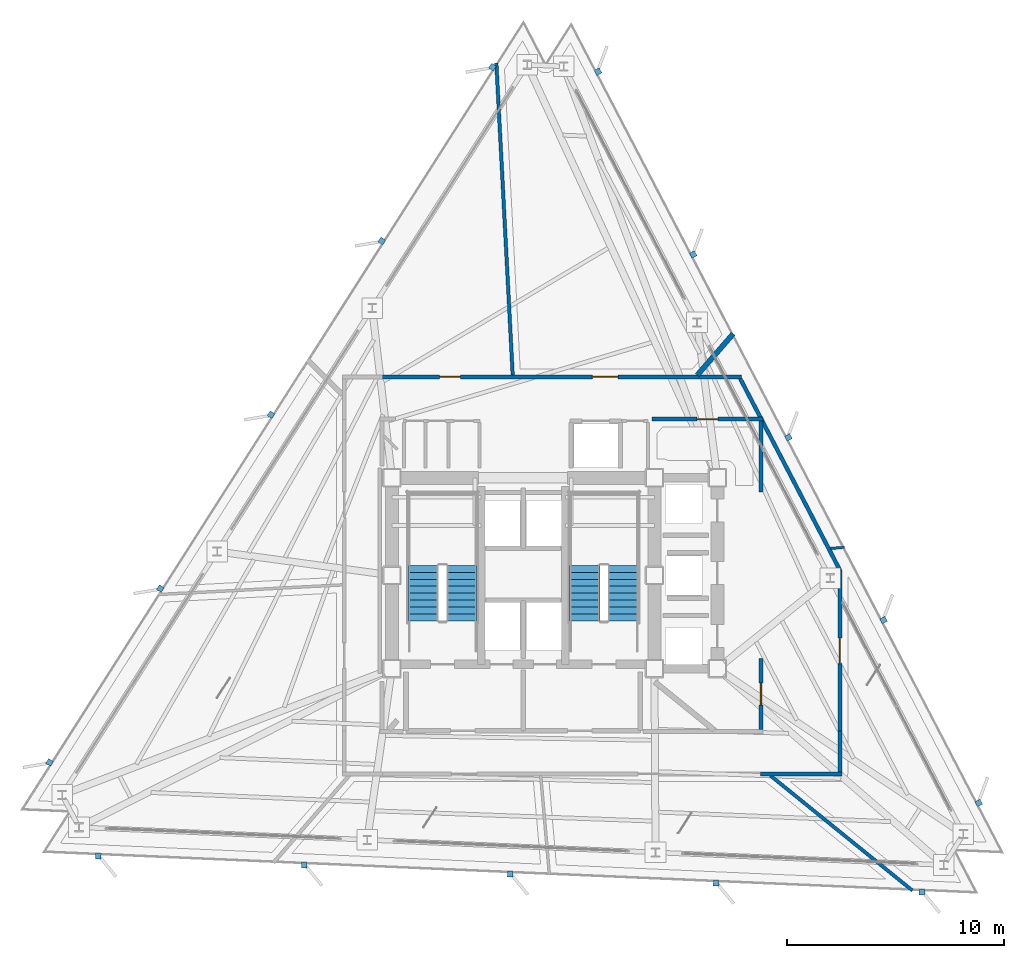
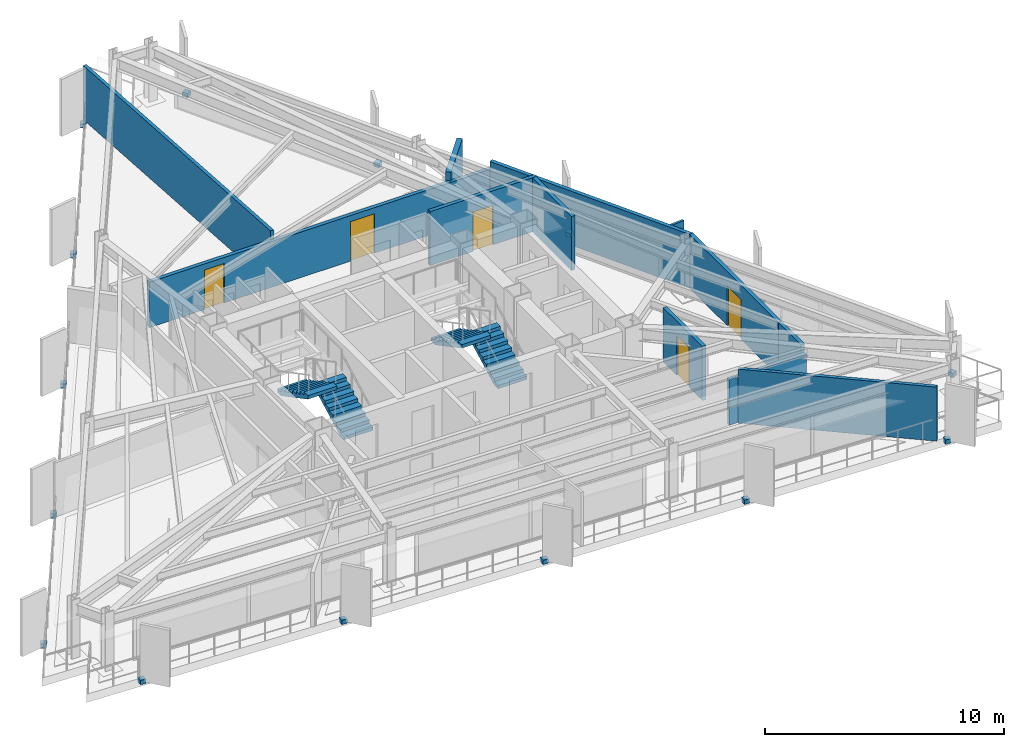
# One storey, part 9 of 12: 15 discrete accessories, 12 walls, 5 doors, 4 stair flights, 5 openings, 2 elements without a shape of their own.
"""IFC4 building model written with IfcOpenShell, lengths in metres."""

from ifc_helpers import new_model, si_unit, direction, frame, frame_2d, origin, origin_2d, place, context, subcontext, project, spatial, polyline, rectangle, outline, extrude, material, layer, layer_set, type_object, element, fill, aggregate, save


model = new_model("IFC4")

# Units and contexts
model_context = context("Model", 3, precision=1e-05, world=origin(), true_north=direction((0.0, 1.0)))
body_context = subcontext(model_context, "Body", "Model", "MODEL_VIEW")
ifc_project = project(units=[si_unit("LENGTHUNIT", "METRE"), si_unit("AREAUNIT", "SQUARE_METRE"), si_unit("VOLUMEUNIT", "CUBIC_METRE"), si_unit("PLANEANGLEUNIT", "RADIAN"), si_unit("MASSUNIT", "GRAM", prefix="KILO")], contexts=[model_context])

# Site, building, storey
site_placement = place(None, origin())
site = spatial("IfcSite", under=ifc_project, at=site_placement, CompositionType="ELEMENT")
building_placement = place(site_placement, origin())
building = spatial("IfcBuilding", under=site, at=building_placement, Name="Rocaltana Carrier Exchange", CompositionType="ELEMENT")
storey_placement = place(building_placement, frame((0.0, 0.0, 125.919921875)))
storey = spatial("IfcBuildingStorey", under=building, at=storey_placement, Name="L39", CompositionType="ELEMENT", Elevation=125.919921875)

# Walls
ifc_material_1 = material(Name="Double Acoustic Gypsum Partition", Category="gypsum")
ifc_layer_1 = layer(ifc_material_1, 0.159912109375)
ifc_layer_set_1 = layer_set([ifc_layer_1], Name="Double Acoustic Gypsum Partition")
wall_type_1 = type_object("IfcWallType", Name="Acoustic Studio Partition 160 EI60", PredefinedType="PARTITIONING", material=ifc_layer_set_1)
wall_1_placement = place(storey_placement, frame((11.398193359375, -9.22998046875, 0.0), z_axis=(0.0, 0.0, 1.0), x_axis=(0.777150974354, -0.629314200588, 0.0)))
element("IfcWall", 1, at=wall_1_placement, inside=storey, type_object=wall_type_1, Name="L39 Suite Divider Wall D6", PredefinedType="PARTITIONING", context=body_context, shape_type="SweptSolid", body=[
    extrude(rectangle(XDim=8.417236328125, YDim=0.159912109375, at=frame_2d((4.20849609375, 0.0))), origin(), (0.0, 0.0, 1.0), 2.76318359375),
])
wall_2_placement = place(storey_placement, frame((-0.483642578125, 9.22998046875, 0.0), z_axis=(0.0, 0.0, 1.0), x_axis=(-0.052344416919, 0.998629091313, 0.0)))
element("IfcWall", 2, at=wall_2_placement, inside=storey, type_object=wall_type_1, Name="L39 Suite Divider Wall D9", PredefinedType="PARTITIONING", context=body_context, shape_type="SweptSolid", body=[
    extrude(rectangle(XDim=14.40283203125, YDim=0.159912109375, at=frame_2d((7.201416015625, 0.0))), origin(), (0.0, 0.0, 1.0), 2.76318359375),
])

# Wall, openings, doors
ifc_material_2 = material(Name="Gypsum & Steel Stud Partition", Category="steel")
ifc_layer_2 = layer(ifc_material_2, 0.179931640625)
ifc_layer_set_2 = layer_set([ifc_layer_2], Name="Gypsum & Steel Stud Partition")
wall_type_2 = type_object("IfcWallType", Name="Corridor Fire Partition 180 EI60", PredefinedType="PARTITIONING", material=ifc_layer_set_2)
wall_3_placement = place(storey_placement, frame((-6.52001953125, 9.14990234375, 0.0), z_axis=(0.0, 0.0, 1.0), x_axis=(1.0, 0.0, 0.0)))
wall_3 = element("IfcWall", 3, at=wall_3_placement, inside=storey, type_object=wall_type_2, Name="L39 Corridor Partition 6", PredefinedType="PARTITIONING", context=body_context, shape_type="SweptSolid", body=[
    extrude(rectangle(XDim=16.571533203125, YDim=0.179931640625, at=frame_2d((8.28564453125, 0.0))), origin(), (0.0, 0.0, 1.0), 2.330078125),
])
opening_1_placement = place(wall_3_placement, frame((9.7138671875, 0.0, 0.0)))
opening_1 = element("IfcOpeningElement", 4, at=opening_1_placement, cuts=wall_3, Name="Opening D-SU120", PredefinedType="OPENING", context=body_context, shape_type="SweptSolid", body=[
    extrude(rectangle(XDim=1.179931640625, YDim=2.02001953125, at=frame_2d((0.58984375, 1.010009765625))), frame((0.0, 0.099853515625, 0.0), z_axis=(0.0, -1.0, 0.0), x_axis=(1.0, 0.0, 0.0)), (0.0, 0.0, 1.0), 0.199951171875),
])
opening_2_placement = place(wall_3_placement, frame((2.66845703125, 0.0, 0.0)))
opening_2 = element("IfcOpeningElement", 5, at=opening_2_placement, cuts=wall_3, Name="Opening D-RM098", PredefinedType="OPENING", context=body_context, shape_type="SweptSolid", body=[
    extrude(rectangle(XDim=0.9599609375, YDim=2.02001953125, at=frame_2d((0.47998046875, 1.010009765625))), frame((0.0, 0.099853515625, 0.0), z_axis=(0.0, -1.0, 0.0), x_axis=(1.0, 0.0, 0.0)), (0.0, 0.0, 1.0), 0.199951171875),
])
ifc_material_3 = material(Name="Engineered Hardwood Timber", Category="wood")
door_type_1 = type_object("IfcDoorType", Name="Suite Double Entrance Door 1180x2020", OperationType="NOTDEFINED", PredefinedType="DOOR", material=ifc_material_3)
door_1_placement = place(opening_1_placement, origin())
door_1 = element("IfcDoor", 6, at=door_1_placement, inside=storey, type_object=door_type_1, Name="L39 Carrier Peering Suite Entrance Door", OperationType="SINGLE_SWING_LEFT", OverallHeight=2.02001953125, OverallWidth=1.179931640625, PredefinedType="DOOR", context=body_context, shape_type="SweptSolid", body=[
    extrude(rectangle(XDim=1.179931640625, YDim=2.02001953125, at=frame_2d((0.58984375, 1.010009765625))), frame((0.0, 0.02490234375, 0.0), z_axis=(0.0, -1.0, 0.0), x_axis=(1.0, 0.0, 0.0)), (0.0, 0.0, 1.0), 0.050048828125),
])
fill(opening_1, door_1)
ifc_material_4 = material(Name="Engineered Hardwood Timber", Category="wood")
door_type_2 = type_object("IfcDoorType", Name="Workspace Single Door 960x2020", OperationType="NOTDEFINED", PredefinedType="DOOR", material=ifc_material_4)
door_2_placement = place(opening_2_placement, origin())
door_2 = element("IfcDoor", 7, at=door_2_placement, inside=storey, type_object=door_type_2, Name="L39 Quiet Focus Lounge Entrance Door", OperationType="SINGLE_SWING_RIGHT", OverallHeight=2.02001953125, OverallWidth=0.9599609375, PredefinedType="DOOR", context=body_context, shape_type="SweptSolid", body=[
    extrude(rectangle(XDim=0.9599609375, YDim=2.02001953125, at=frame_2d((0.47998046875, 1.010009765625))), frame((0.0, 0.02490234375, 0.0), z_axis=(0.0, -1.0, 0.0), x_axis=(1.0, 0.0, 0.0)), (0.0, 0.0, 1.0), 0.050048828125),
])
fill(opening_2, door_2)

# Wall
wall_4_placement = place(storey_placement, frame((10.0029296875, 9.0703125, 0.0), z_axis=(0.0, 0.0, 1.0), x_axis=(0.461740291408, -0.887015165198, 0.0)))
element("IfcWall", 8, at=wall_4_placement, inside=storey, type_object=wall_type_2, Name="L39 Corridor Partition 7", PredefinedType="PARTITIONING", context=body_context, shape_type="SweptSolid", body=[
    extrude(rectangle(XDim=9.975830078125, YDim=0.179931640625, at=frame_2d((4.98779296875, 0.0))), origin(), (0.0, 0.0, 1.0), 2.76318359375),
])

# Wall, opening, door
wall_5_placement = place(storey_placement, frame((14.60009765625, 0.259521484375, 0.0), z_axis=(0.0, 0.0, 1.0), x_axis=(0.0, -1.0, 0.0)))
wall_5 = element("IfcWall", 9, at=wall_5_placement, inside=storey, type_object=wall_type_2, Name="L39 Corridor Partition 8", PredefinedType="PARTITIONING", context=body_context, shape_type="SweptSolid", body=[
    extrude(rectangle(XDim=7.4794921875, YDim=0.179931640625, at=frame_2d((3.73974609375, 0.0))), origin(), (0.0, 0.0, 1.0), 2.76318359375),
])
opening_3_placement = place(wall_5_placement, frame((3.149658203125, 0.0, 0.0)))
opening_3 = element("IfcOpeningElement", 10, at=opening_3_placement, cuts=wall_5, Name="Opening D-SU120", PredefinedType="OPENING", context=body_context, shape_type="SweptSolid", body=[
    extrude(rectangle(XDim=1.179931640625, YDim=2.02001953125, at=frame_2d((0.58984375, 1.010009765625))), frame((0.0, 0.099853515625, 0.0), z_axis=(0.0, -1.0, 0.0), x_axis=(1.0, 0.0, 0.0)), (0.0, 0.0, 1.0), 0.199951171875),
])
door_3_placement = place(opening_3_placement, origin())
door_3 = element("IfcDoor", 11, at=door_3_placement, inside=storey, type_object=door_type_1, Name="L39 Carrier Peering Suite Entrance Door", OperationType="SINGLE_SWING_LEFT", OverallHeight=2.02001953125, OverallWidth=1.179931640625, PredefinedType="DOOR", context=body_context, shape_type="SweptSolid", body=[
    extrude(rectangle(XDim=1.179931640625, YDim=2.02001953125, at=frame_2d((0.58984375, 1.010009765625))), frame((0.0, 0.02490234375, 0.0), z_axis=(0.0, -1.0, 0.0), x_axis=(1.0, 0.0, 0.0)), (0.0, 0.0, 1.0), 0.050048828125),
])
fill(opening_3, door_3)

# Walls
wall_6_placement = place(storey_placement, frame((14.60009765625, -7.179931640625, 0.0), z_axis=(0.0, 0.0, 1.0), x_axis=(0.0, -1.0, 0.0)))
element("IfcWall", 12, at=wall_6_placement, inside=storey, type_object=wall_type_2, Name="L39 Corridor Partition 9", PredefinedType="PARTITIONING", context=body_context, shape_type="SweptSolid", body=[
    extrude(rectangle(XDim=1.880126953125, YDim=0.179931640625, at=frame_2d((0.93994140625, 0.0))), origin(), (0.0, 0.0, 1.0), 2.76318359375),
])
wall_7_placement = place(storey_placement, frame((14.68994140625, -9.14990234375, 0.0), z_axis=(0.0, 0.0, 1.0), x_axis=(-1.0, 0.0, 0.0)))
element("IfcWall", 13, at=wall_7_placement, inside=storey, type_object=wall_type_2, Name="L39 Corridor Partition 10", PredefinedType="PARTITIONING", context=body_context, shape_type="SweptSolid", body=[
    extrude(rectangle(XDim=3.75, YDim=0.179931640625, at=frame_2d((1.875, 0.0))), origin(), (0.0, 0.0, 1.0), 2.330078125),
])

# Wall, opening, door
wall_8_placement = place(storey_placement, frame((10.9599609375, -7.110107421875, 0.0), z_axis=(0.0, 0.0, 1.0), x_axis=(0.0, 1.0, 0.0)))
wall_8 = element("IfcWall", 14, at=wall_8_placement, inside=storey, type_object=wall_type_2, Name="L39 Corridor Partition 13", PredefinedType="PARTITIONING", context=body_context, shape_type="SweptSolid", body=[
    extrude(rectangle(XDim=3.2705078125, YDim=0.179931640625, at=frame_2d((1.63525390625, 0.0))), origin(), (0.0, 0.0, 1.0), 2.76318359375),
])
opening_4_placement = place(wall_8_placement, frame((1.125244140625, 0.0, 0.0)))
opening_4 = element("IfcOpeningElement", 15, at=opening_4_placement, cuts=wall_8, Name="Opening D-LB104", PredefinedType="OPENING", context=body_context, shape_type="SweptSolid", body=[
    extrude(rectangle(XDim=1.02001953125, YDim=2.02001953125, at=frame_2d((0.510009765625, 1.010009765625))), frame((0.0, 0.099853515625, 0.0), z_axis=(0.0, -1.0, 0.0), x_axis=(1.0, 0.0, 0.0)), (0.0, 0.0, 1.0), 0.199951171875),
])
ifc_material_5 = material(Name="Powder-Coated Aluminium 6063-T6", Category="aluminium")
door_type_3 = type_object("IfcDoorType", Name="Laboratory Acoustic Door 1020x2020", OperationType="NOTDEFINED", PredefinedType="DOOR", material=ifc_material_5)
door_4_placement = place(opening_4_placement, origin())
door_4 = element("IfcDoor", 16, at=door_4_placement, inside=storey, type_object=door_type_3, Name="L39 Optical Switching Laboratory Entrance Door", OperationType="SINGLE_SWING_RIGHT", OverallHeight=2.02001953125, OverallWidth=1.02001953125, PredefinedType="DOOR", context=body_context, shape_type="SweptSolid", body=[
    extrude(rectangle(XDim=1.02001953125, YDim=2.02001953125, at=frame_2d((0.510009765625, 1.010009765625))), frame((0.0, 0.02490234375, 0.0), z_axis=(0.0, -1.0, 0.0), x_axis=(1.0, 0.0, 0.0)), (0.0, 0.0, 1.0), 0.050048828125),
])
fill(opening_4, door_4)

# Wall
wall_9_placement = place(storey_placement, frame((10.9599609375, 3.839599609375, 0.0), z_axis=(0.0, 0.0, 1.0), x_axis=(0.0, 1.0, 0.0)))
element("IfcWall", 17, at=wall_9_placement, inside=storey, type_object=wall_type_2, Name="L39 Corridor Partition 14", PredefinedType="PARTITIONING", context=body_context, shape_type="SweptSolid", body=[
    extrude(rectangle(XDim=3.2705078125, YDim=0.179931640625, at=frame_2d((1.63525390625, 0.0))), origin(), (0.0, 0.0, 1.0), 2.76318359375),
])

# Wall, opening, door
wall_10_placement = place(storey_placement, frame((11.050048828125, 7.199951171875, 0.0), z_axis=(0.0, 0.0, 1.0), x_axis=(-1.0, 0.0, 0.0)))
wall_10 = element("IfcWall", 18, at=wall_10_placement, inside=storey, type_object=wall_type_2, Name="L39 Corridor Partition 15", PredefinedType="PARTITIONING", context=body_context, shape_type="SweptSolid", body=[
    extrude(rectangle(XDim=5.1201171875, YDim=0.179931640625, at=frame_2d((2.56005859375, 0.0))), origin(), (0.0, 0.0, 1.0), 2.76318359375),
])
opening_5_placement = place(wall_10_placement, frame((2.080078125, 0.0, 0.0)))
opening_5 = element("IfcOpeningElement", 19, at=opening_5_placement, cuts=wall_10, Name="Opening D-RM098", PredefinedType="OPENING", context=body_context, shape_type="SweptSolid", body=[
    extrude(rectangle(XDim=0.9599609375, YDim=2.02001953125, at=frame_2d((0.47998046875, 1.010009765625))), frame((0.0, 0.099853515625, 0.0), z_axis=(0.0, -1.0, 0.0), x_axis=(1.0, 0.0, 0.0)), (0.0, 0.0, 1.0), 0.199951171875),
])
door_5_placement = place(opening_5_placement, origin())
door_5 = element("IfcDoor", 20, at=door_5_placement, inside=storey, type_object=door_type_2, Name="L39 Peering Conference Room Entrance Door", OperationType="SINGLE_SWING_RIGHT", OverallHeight=2.02001953125, OverallWidth=0.9599609375, PredefinedType="DOOR", context=body_context, shape_type="SweptSolid", body=[
    extrude(rectangle(XDim=0.9599609375, YDim=2.02001953125, at=frame_2d((0.47998046875, 1.010009765625))), frame((0.0, 0.02490234375, 0.0), z_axis=(0.0, -1.0, 0.0), x_axis=(1.0, 0.0, 0.0)), (0.0, 0.0, 1.0), 0.050048828125),
])
fill(opening_5, door_5)

# Walls
ifc_material_6 = material(Name="Aluminium 6063-T6 & Acoustic Glass", Category="aluminium")
ifc_layer_3 = layer(ifc_material_6, 0.114990234375)
ifc_layer_set_3 = layer_set([ifc_layer_3], Name="Aluminium 6063-T6 & Acoustic Glass")
wall_type_3 = type_object("IfcWallType", Name="Demountable Glazed Lab Partition 115", PredefinedType="MOVABLE", material=ifc_layer_set_3)
wall_11_placement = place(storey_placement, frame((14.16943359375, 1.23974609375, 0.0), z_axis=(0.0, 0.0, 1.0), x_axis=(0.996194547312, 0.08715746615, 0.0)))
element("IfcWall", 21, at=wall_11_placement, inside=storey, type_object=wall_type_3, Name="L39 Suite Divider Wall D7", PredefinedType="MOVABLE", context=body_context, shape_type="SweptSolid", body=[
    extrude(rectangle(XDim=0.638671875, YDim=0.114990234375, at=frame_2d((0.3193359375, 0.0))), origin(), (0.0, 0.0, 1.0), 2.76318359375),
])
ifc_material_7 = material(Name="Acoustic Calcium Silicate Partition", Category="gypsum")
ifc_layer_4 = layer(ifc_material_7, 0.239990234375)
ifc_layer_set_4 = layer_set([ifc_layer_4], Name="Acoustic Calcium Silicate Partition")
wall_type_4 = type_object("IfcWallType", Name="Heavy Lab Partition 240 EI90", PredefinedType="PARTITIONING", material=ifc_layer_set_4)
wall_12_placement = place(storey_placement, frame((8.0234375, 9.22998046875, 0.0), z_axis=(0.0, 0.0, 1.0), x_axis=(0.656032852837, 0.754732334009, 0.0)))
element("IfcWall", 22, at=wall_12_placement, inside=storey, type_object=wall_type_4, Name="L39 Suite Divider Wall D8", PredefinedType="PARTITIONING", context=body_context, shape_type="SweptSolid", body=[
    extrude(rectangle(XDim=2.528076171875, YDim=0.239990234375, at=frame_2d((1.26416015625, 0.0))), origin(), (0.0, 0.0, 1.0), 2.76318359375),
])

# Stair, stair flights
ifc_material_8 = material(Name="Precast concrete C45/55", Category="concrete")
stair_type = type_object("IfcStairType", Name="Standard Dog-Leg Stair 160", PredefinedType="HALF_TURN_STAIR", material=ifc_material_8)
stair_1_placement = place(storey_placement, origin())
stair_1 = element("IfcStair", 23, at=stair_1_placement, inside=storey, type_object=stair_type, Name="L39 Core West Exit Stair ST-1", PredefinedType="HALF_TURN_STAIR")
ifc_material_9 = material(Name="Precast concrete C45/55", Category="concrete")
stair_flight_type = type_object("IfcStairFlightType", Name="Precast Stair Flight 160", PredefinedType="STRAIGHT", material=ifc_material_9)
stair_flight_1_placement = place(storey_placement, frame((-2.840087890625, -2.10009765625, 0.0), z_axis=(0.0, 0.0, 1.0), x_axis=(0.0, 1.0, 0.0)))
stair_flight_1 = element("IfcStairFlight", 24, at=stair_flight_1_placement, type_object=stair_flight_type, Name="ST-1 flight 1", NumberOfRisers=9, NumberOfTreads=8, PredefinedType="STRAIGHT", RiserHeight=0.168888889, TreadLength=0.32, context=body_context, shape_type="SweptSolid", body=[
    extrude(outline(polyline([(0.0, 0.0), (0.0, 0.1689453125), (0.320068359375, 0.1689453125), (0.320068359375, 0.337890625), (0.639892578125, 0.337890625), (0.639892578125, 0.506591796875), (0.9599609375, 0.506591796875), (0.9599609375, 0.675537109375), (1.280029296875, 0.675537109375), (1.280029296875, 0.844482421875), (1.60009765625, 0.844482421875), (1.60009765625, 1.013427734375), (1.919921875, 1.013427734375), (1.919921875, 1.18212890625), (2.239990234375, 1.18212890625), (2.239990234375, 1.35107421875), (2.56005859375, 1.35107421875), (2.56005859375, 1.52001953125), (2.56005859375, 1.17041015625), (0.342529296875, 0.0), (0.0, 0.0)])), frame((0.0, 0.699951171875, 0.0), z_axis=(0.0, -1.0, 0.0), x_axis=(1.0, 0.0, 0.0)), (0.0, 0.0, 1.0), 1.39990234375),
])
stair_flight_2_placement = place(storey_placement, frame((-4.60009765625, 0.4599609375, 1.52001953125), z_axis=(0.0, 0.0, 1.0), x_axis=(0.0, -1.0, 0.0)))
stair_flight_2 = element("IfcStairFlight", 25, at=stair_flight_2_placement, type_object=stair_flight_type, Name="ST-1 flight 2", NumberOfRisers=9, NumberOfTreads=8, PredefinedType="STRAIGHT", RiserHeight=0.168888889, TreadLength=0.32, context=body_context, shape_type="SweptSolid", body=[
    extrude(outline(polyline([(0.0, 0.0), (0.0, 0.1689453125), (0.320068359375, 0.1689453125), (0.320068359375, 0.337890625), (0.639892578125, 0.337890625), (0.639892578125, 0.506591796875), (0.9599609375, 0.506591796875), (0.9599609375, 0.675537109375), (1.280029296875, 0.675537109375), (1.280029296875, 0.844482421875), (1.60009765625, 0.844482421875), (1.60009765625, 1.013427734375), (1.919921875, 1.013427734375), (1.919921875, 1.18212890625), (2.239990234375, 1.18212890625), (2.239990234375, 1.35107421875), (2.56005859375, 1.35107421875), (2.56005859375, 1.52001953125), (2.56005859375, 1.17041015625), (0.342529296875, 0.0), (0.0, 0.0)])), frame((0.0, 0.699951171875, 0.0), z_axis=(0.0, -1.0, 0.0), x_axis=(1.0, 0.0, 0.0)), (0.0, 0.0, 1.0), 1.39990234375),
])
aggregate(stair_1, [stair_flight_1, stair_flight_2])

stair_2_placement = place(storey_placement, origin())
stair_2 = element("IfcStair", 26, at=stair_2_placement, inside=storey, type_object=stair_type, Name="L39 Core East Exit Stair ST-2", PredefinedType="HALF_TURN_STAIR")
stair_flight_3_placement = place(storey_placement, frame((4.60009765625, -2.10009765625, 0.0), z_axis=(0.0, 0.0, 1.0), x_axis=(0.0, 1.0, 0.0)))
stair_flight_3 = element("IfcStairFlight", 27, at=stair_flight_3_placement, type_object=stair_flight_type, Name="ST-2 flight 1", NumberOfRisers=9, NumberOfTreads=8, PredefinedType="STRAIGHT", RiserHeight=0.168888889, TreadLength=0.32, context=body_context, shape_type="SweptSolid", body=[
    extrude(outline(polyline([(0.0, 0.0), (0.0, 0.1689453125), (0.320068359375, 0.1689453125), (0.320068359375, 0.337890625), (0.639892578125, 0.337890625), (0.639892578125, 0.506591796875), (0.9599609375, 0.506591796875), (0.9599609375, 0.675537109375), (1.280029296875, 0.675537109375), (1.280029296875, 0.844482421875), (1.60009765625, 0.844482421875), (1.60009765625, 1.013427734375), (1.919921875, 1.013427734375), (1.919921875, 1.18212890625), (2.239990234375, 1.18212890625), (2.239990234375, 1.35107421875), (2.56005859375, 1.35107421875), (2.56005859375, 1.52001953125), (2.56005859375, 1.17041015625), (0.342529296875, 0.0), (0.0, 0.0)])), frame((0.0, 0.699951171875, 0.0), z_axis=(0.0, -1.0, 0.0), x_axis=(1.0, 0.0, 0.0)), (0.0, 0.0, 1.0), 1.39990234375),
])
stair_flight_4_placement = place(storey_placement, frame((2.840087890625, 0.4599609375, 1.52001953125), z_axis=(0.0, 0.0, 1.0), x_axis=(0.0, -1.0, 0.0)))
stair_flight_4 = element("IfcStairFlight", 28, at=stair_flight_4_placement, type_object=stair_flight_type, Name="ST-2 flight 2", NumberOfRisers=9, NumberOfTreads=8, PredefinedType="STRAIGHT", RiserHeight=0.168888889, TreadLength=0.32, context=body_context, shape_type="SweptSolid", body=[
    extrude(outline(polyline([(0.0, 0.0), (0.0, 0.1689453125), (0.320068359375, 0.1689453125), (0.320068359375, 0.337890625), (0.639892578125, 0.337890625), (0.639892578125, 0.506591796875), (0.9599609375, 0.506591796875), (0.9599609375, 0.675537109375), (1.280029296875, 0.675537109375), (1.280029296875, 0.844482421875), (1.60009765625, 0.844482421875), (1.60009765625, 1.013427734375), (1.919921875, 1.013427734375), (1.919921875, 1.18212890625), (2.239990234375, 1.18212890625), (2.239990234375, 1.35107421875), (2.56005859375, 1.35107421875), (2.56005859375, 1.52001953125), (2.56005859375, 1.17041015625), (0.342529296875, 0.0), (0.0, 0.0)])), frame((0.0, 0.699951171875, 0.0), z_axis=(0.0, -1.0, 0.0), x_axis=(1.0, 0.0, 0.0)), (0.0, 0.0, 1.0), 1.39990234375),
])
aggregate(stair_2, [stair_flight_3, stair_flight_4])

# Discrete accessories
ifc_material_10 = material(Name="Brushed Architectural Stainless Metal", Category="steel")
ifc_layer_5 = layer(ifc_material_10, 0.219970703125)
ifc_layer_set_5 = layer_set([ifc_layer_5], Name="Brushed Architectural Stainless Metal")
discrete_accessory_type = type_object("IfcDiscreteAccessoryType", Name="Stainless Fin Slab-Edge Bracket 260x260x220", PredefinedType="BRACKET", material=ifc_layer_set_5)
for number, where, z_axis, x_axis, name in (
    (29, (20.9970703125, -10.489990234375, -0.2099609375), (0.0, 0.0, 1.0), (-0.461748613235, 0.887010833178, 0.0), "L39 Sandstone Fin Edge Bracket F1-01"),
    (30, (16.610595703125, -2.063232421875, -0.2099609375), (0.0, 0.0, 1.0), (-0.461748613235, 0.887010833178, 0.0), "L39 Sandstone Fin Edge Bracket F1-02"),
    (31, (12.223876953125, 6.36328125, -0.2099609375), (0.0, 0.0, 1.0), (-0.461748613235, 0.887010833178, 0.0), "L39 Sandstone Fin Edge Bracket F1-03"),
    (32, (7.837158203125, 14.789794921875, -0.2099609375), (0.0, 0.0, 1.0), (-0.461748613235, 0.887010833178, 0.0), "L39 Sandstone Fin Edge Bracket F1-04"),
    (33, (3.45068359375, 23.216552734375, -0.2099609375), (0.0, 0.0, 1.0), (-0.461748613235, 0.887010833178, 0.0), "L39 Sandstone Fin Edge Bracket F1-05"),
    (34, (-1.4140625, 23.428955078125, -0.2099609375), (0.0, 0.0, 1.0), (-0.537299608347, -0.843391445813, 0.0), "L39 Sandstone Fin Edge Bracket F2-01"),
    (35, (-6.518310546875, 15.416748046875, -0.2099609375), (0.0, 0.0, 1.0), (-0.537299608347, -0.843391445813, 0.0), "L39 Sandstone Fin Edge Bracket F2-02"),
    (36, (-11.622802734375, 7.404541015625, -0.2099609375), (0.0, 0.0, 1.0), (-0.537299608347, -0.843391445813, 0.0), "L39 Sandstone Fin Edge Bracket F2-03"),
    (37, (-16.72705078125, -0.607666015625, -0.2099609375), (0.0, 0.0, 1.0), (-0.537299608347, -0.843391445813, 0.0), "L39 Sandstone Fin Edge Bracket F2-04"),
    (38, (-21.831298828125, -8.619873046875, -0.2099609375), (0.0, 0.0, 1.0), (-0.537299608347, -0.843391445813, 0.0), "L39 Sandstone Fin Edge Bracket F2-05"),
    (39, (-19.5830078125, -12.939208984375, -0.2099609375), (0.0, 0.0, 1.0), (0.999048221582, -0.043619387365, 0.0), "L39 Sandstone Fin Edge Bracket F3-01"),
    (40, (-10.092041015625, -13.353515625, -0.2099609375), (0.0, 0.0, 1.0), (0.999048221582, -0.043619387365, 0.0), "L39 Sandstone Fin Edge Bracket F3-02"),
    (41, (-0.60107421875, -13.767822265625, -0.2099609375), (0.0, 0.0, 1.0), (0.999048221582, -0.043619387365, 0.0), "L39 Sandstone Fin Edge Bracket F3-03"),
    (42, (8.889892578125, -14.18212890625, -0.2099609375), (0.0, 0.0, 1.0), (0.999048221582, -0.043619387365, 0.0), "L39 Sandstone Fin Edge Bracket F3-04"),
    (43, (18.380859375, -14.5966796875, -0.2099609375), (0.0, 0.0, 1.0), (0.999048221582, -0.043619387365, 0.0), "L39 Sandstone Fin Edge Bracket F3-05"),
):
    element("IfcDiscreteAccessory", number, at=place(storey_placement, frame(where, z_axis=z_axis, x_axis=x_axis)), inside=storey, type_object=discrete_accessory_type, Name=name, PredefinedType="BRACKET", context=body_context, shape_type="SweptSolid", body=[
        extrude(rectangle(XDim=0.260009765625, YDim=0.260009765625, at=origin_2d()), origin(), (0.0, 0.0, 1.0), 0.219970703125),
    ])

save(model, "model.ifc")
